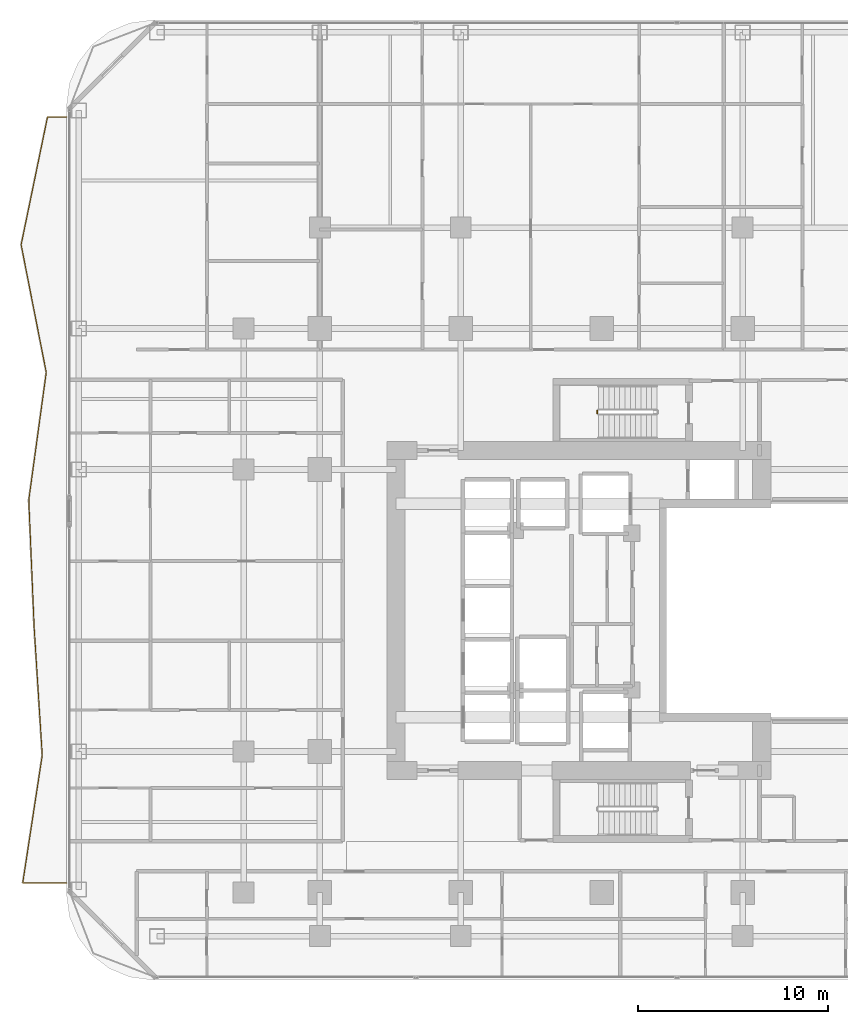
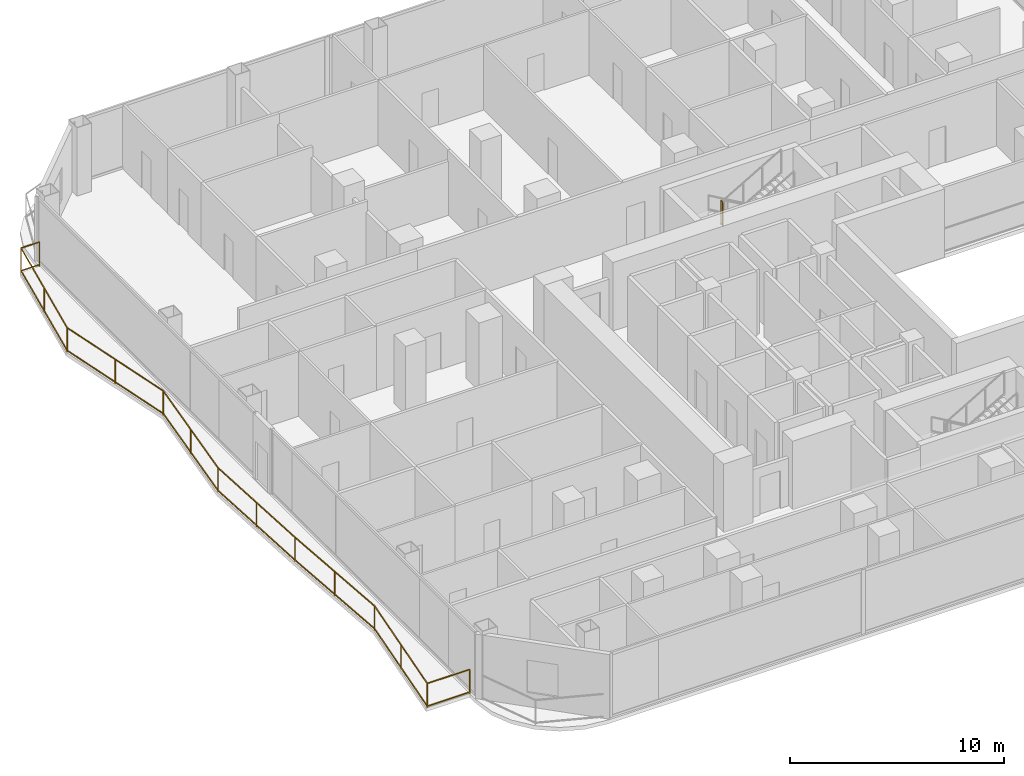
# One storey, part 26 of 28: 2 railings.
"""IFC4 building model written with IfcOpenShell, lengths in metres."""

from ifc_helpers import new_model, si_unit, direction, frame, origin, origin_2d, place, context, subcontext, project, spatial, rectangle, extrude, material, type_object, element, save


model = new_model("IFC4")

# Units and contexts
model_context = context("Model", 3, precision=1e-05, world=origin(), true_north=direction((0.0, 1.0)))
body_context = subcontext(model_context, "Body", "Model", "MODEL_VIEW")
ifc_project = project(units=[si_unit("LENGTHUNIT", "METRE"), si_unit("AREAUNIT", "SQUARE_METRE"), si_unit("VOLUMEUNIT", "CUBIC_METRE"), si_unit("PLANEANGLEUNIT", "RADIAN"), si_unit("MASSUNIT", "GRAM", prefix="KILO")], contexts=[model_context])

# Site, building, storey
site_placement = place(None, origin())
site = spatial("IfcSite", under=ifc_project, at=site_placement, CompositionType="ELEMENT")
building_placement = place(site_placement, origin())
building = spatial("IfcBuilding", under=site, at=building_placement, Name="Khorvyn Point Tower", CompositionType="ELEMENT")
storey_placement = place(building_placement, frame((0.0, 0.0, 100.800048828125)))
storey = spatial("IfcBuildingStorey", under=building, at=storey_placement, Name="L25", CompositionType="ELEMENT", Elevation=100.800048828125)

# Railings
ifc_material_1 = material(Name="Anodised aluminium 6063-T6 and laminated safety glass", Category="aluminium")
railing_type_1 = type_object("IfcRailingType", Name="Laminated Glass and Aluminium Balcony Guardrail 1400", PredefinedType="BALUSTRADE", material=ifc_material_1)
railing_1_placement = place(storey_placement, frame((-28.10009765625, 25.89990234375, 0.0)))
element("IfcRailing", 1, at=railing_1_placement, inside=storey, type_object=railing_type_1, Name="L25 West Balcony Guardrail", PredefinedType="BALUSTRADE", context=body_context, shape_type="SweptSolid", body=[
    extrude(rectangle(XDim=0.048095703125, YDim=0.048095703125, at=origin_2d()), frame((0.0, 0.0, 1.3759765625), z_axis=(-1.0, 0.0, 0.0), x_axis=(0.0, -1.0, 0.0)), (0.0, 0.0, 1.0), 0.9951171875),
    extrude(rectangle(XDim=0.048095703125, YDim=0.048095703125, at=origin_2d()), frame((0.0, 0.0, 0.080078125), z_axis=(-1.0, 0.0, 0.0), x_axis=(0.0, -1.0, 0.0)), (0.0, 0.0, 1.0), 0.9951171875),
    extrude(rectangle(XDim=0.048095703125, YDim=0.048095703125, at=origin_2d()), frame((-0.9951171875, 0.0, 1.3759765625), z_axis=(-0.20233655163, -0.979316046981, 0.0), x_axis=(0.979316046981, -0.20233655163, 0.0)), (0.0, 0.0, 1.0), 6.841552734375),
    extrude(rectangle(XDim=0.048095703125, YDim=0.048095703125, at=origin_2d()), frame((-0.9951171875, 0.0, 0.080078125), z_axis=(-0.20233655163, -0.979316046981, 0.0), x_axis=(0.979316046981, -0.20233655163, 0.0)), (0.0, 0.0, 1.0), 6.841552734375),
    extrude(rectangle(XDim=0.048095703125, YDim=0.048095703125, at=origin_2d()), frame((-2.37939453125, -6.699951171875, 1.3759765625), z_axis=(0.193241355357, -0.981151251632, 0.0), x_axis=(0.981151251632, 0.193241355357, 0.0)), (0.0, 0.0, 1.0), 6.82861328125),
    extrude(rectangle(XDim=0.048095703125, YDim=0.048095703125, at=origin_2d()), frame((-2.37939453125, -6.699951171875, 0.080078125), z_axis=(0.193241355357, -0.981151251632, 0.0), x_axis=(0.981151251632, 0.193241355357, 0.0)), (0.0, 0.0, 1.0), 6.82861328125),
    extrude(rectangle(XDim=0.048095703125, YDim=0.048095703125, at=origin_2d()), frame((-1.059814453125, -13.39990234375, 1.3759765625), z_axis=(-0.135778529509, -0.990739214387, 0.0), x_axis=(0.990739214387, -0.135778529509, 0.0)), (0.0, 0.0, 1.0), 6.7626953125),
    extrude(rectangle(XDim=0.048095703125, YDim=0.048095703125, at=origin_2d()), frame((-1.059814453125, -13.39990234375, 0.080078125), z_axis=(-0.135778529509, -0.990739214387, 0.0), x_axis=(0.990739214387, -0.135778529509, 0.0)), (0.0, 0.0, 1.0), 6.7626953125),
    extrude(rectangle(XDim=0.048095703125, YDim=0.048095703125, at=origin_2d()), frame((-1.97802734375, -20.099853515625, 1.3759765625), z_axis=(0.042159036431, -0.999110912585, 0.0), x_axis=(0.999110912585, 0.042159036431, 0.0)), (0.0, 0.0, 1.0), 6.705810546875),
    extrude(rectangle(XDim=0.048095703125, YDim=0.048095703125, at=origin_2d()), frame((-1.97802734375, -20.099853515625, 0.080078125), z_axis=(0.042159036431, -0.999110912585, 0.0), x_axis=(0.999110912585, 0.042159036431, 0.0)), (0.0, 0.0, 1.0), 6.705810546875),
    extrude(rectangle(XDim=0.048095703125, YDim=0.048095703125, at=origin_2d()), frame((-1.6953125, -26.7998046875, 1.3759765625), z_axis=(0.063274788245, -0.997996142865, 0.0), x_axis=(0.997996142865, 0.063274788245, 0.0)), (0.0, 0.0, 1.0), 6.713623046875),
    extrude(rectangle(XDim=0.048095703125, YDim=0.048095703125, at=origin_2d()), frame((-1.6953125, -26.7998046875, 0.080078125), z_axis=(0.063274788245, -0.997996142865, 0.0), x_axis=(0.997996142865, 0.063274788245, 0.0)), (0.0, 0.0, 1.0), 6.713623046875),
    extrude(rectangle(XDim=0.048095703125, YDim=0.048095703125, at=origin_2d()), frame((-1.2705078125, -33.5, 1.3759765625), z_axis=(-0.151071842168, -0.988522786032, 0.0), x_axis=(0.988522786032, -0.151071842168, 0.0)), (0.0, 0.0, 1.0), 6.77783203125),
    extrude(rectangle(XDim=0.048095703125, YDim=0.048095703125, at=origin_2d()), frame((-1.2705078125, -33.5, 0.080078125), z_axis=(-0.151071842168, -0.988522786032, 0.0), x_axis=(0.988522786032, -0.151071842168, 0.0)), (0.0, 0.0, 1.0), 6.77783203125),
    extrude(rectangle(XDim=0.048095703125, YDim=0.048095703125, at=origin_2d()), frame((-2.29443359375, -40.199951171875, 1.3759765625), z_axis=(1.0, 0.0, 0.0), x_axis=(0.0, 1.0, 0.0)), (0.0, 0.0, 1.0), 2.29443359375),
    extrude(rectangle(XDim=0.048095703125, YDim=0.048095703125, at=origin_2d()), frame((-2.29443359375, -40.199951171875, 0.080078125), z_axis=(1.0, 0.0, 0.0), x_axis=(0.0, 1.0, 0.0)), (0.0, 0.0, 1.0), 2.29443359375),
    extrude(rectangle(XDim=0.0419921875, YDim=0.0419921875, at=origin_2d()), origin(), (0.0, 0.0, 1.0), 1.351806640625),
    extrude(rectangle(XDim=0.0419921875, YDim=0.0419921875, at=origin_2d()), frame((-0.9951171875, 0.0, 0.0)), (0.0, 0.0, 1.0), 1.351806640625),
    extrude(rectangle(XDim=0.0419921875, YDim=0.0419921875, at=origin_2d()), frame((-1.687255859375, -3.35009765625, 0.0)), (0.0, 0.0, 1.0), 1.351806640625),
    extrude(rectangle(XDim=0.0419921875, YDim=0.0419921875, at=origin_2d()), frame((-2.37939453125, -6.699951171875, 0.0)), (0.0, 0.0, 1.0), 1.351806640625),
    extrude(rectangle(XDim=0.0419921875, YDim=0.0419921875, at=origin_2d()), frame((-1.7197265625, -10.0498046875, 0.0)), (0.0, 0.0, 1.0), 1.351806640625),
    extrude(rectangle(XDim=0.0419921875, YDim=0.0419921875, at=origin_2d()), frame((-1.059814453125, -13.39990234375, 0.0)), (0.0, 0.0, 1.0), 1.351806640625),
    extrude(rectangle(XDim=0.0419921875, YDim=0.0419921875, at=origin_2d()), frame((-1.51904296875, -16.75, 0.0)), (0.0, 0.0, 1.0), 1.351806640625),
    extrude(rectangle(XDim=0.0419921875, YDim=0.0419921875, at=origin_2d()), frame((-1.97802734375, -20.099853515625, 0.0)), (0.0, 0.0, 1.0), 1.351806640625),
    extrude(rectangle(XDim=0.0419921875, YDim=0.0419921875, at=origin_2d()), frame((-1.836669921875, -23.44970703125, 0.0)), (0.0, 0.0, 1.0), 1.351806640625),
    extrude(rectangle(XDim=0.0419921875, YDim=0.0419921875, at=origin_2d()), frame((-1.6953125, -26.7998046875, 0.0)), (0.0, 0.0, 1.0), 1.351806640625),
    extrude(rectangle(XDim=0.0419921875, YDim=0.0419921875, at=origin_2d()), frame((-1.48291015625, -30.14990234375, 0.0)), (0.0, 0.0, 1.0), 1.351806640625),
    extrude(rectangle(XDim=0.0419921875, YDim=0.0419921875, at=origin_2d()), frame((-1.2705078125, -33.5, 0.0)), (0.0, 0.0, 1.0), 1.351806640625),
    extrude(rectangle(XDim=0.0419921875, YDim=0.0419921875, at=origin_2d()), frame((-1.782470703125, -36.85009765625, 0.0)), (0.0, 0.0, 1.0), 1.351806640625),
    extrude(rectangle(XDim=0.0419921875, YDim=0.0419921875, at=origin_2d()), frame((-2.29443359375, -40.199951171875, 0.0)), (0.0, 0.0, 1.0), 1.351806640625),
    extrude(rectangle(XDim=0.0419921875, YDim=0.0419921875, at=origin_2d()), frame((0.0, -40.199951171875, 0.0)), (0.0, 0.0, 1.0), 1.351806640625),
])
ifc_material_2 = material(Name="Stainless steel 1.4301", Category="steel")
railing_type_2 = type_object("IfcRailingType", Name="Stainless Steel 304 Stair Well Guardrail 1400", PredefinedType="GUARDRAIL", material=ifc_material_2)
railing_2_placement = place(storey_placement, frame((-0.22998046875, 10.5, 1.949951171875)))
element("IfcRailing", 2, at=railing_2_placement, inside=storey, type_object=railing_type_2, Name="L25 ST-02 stair guard 2", PredefinedType="GUARDRAIL", context=body_context, shape_type="SweptSolid", body=[
    extrude(rectangle(XDim=0.048095703125, YDim=0.048095703125, at=origin_2d()), frame((0.0, 0.0, 1.3759765625), z_axis=(0.0, -1.0, 0.0), x_axis=(1.0, 0.0, 0.0)), (0.0, 0.0, 1.0), 0.159912109375),
    extrude(rectangle(XDim=0.048095703125, YDim=0.048095703125, at=origin_2d()), frame((0.0, 0.0, 0.080078125), z_axis=(0.0, -1.0, 0.0), x_axis=(1.0, 0.0, 0.0)), (0.0, 0.0, 1.0), 0.159912109375),
    extrude(rectangle(XDim=0.0419921875, YDim=0.0419921875, at=origin_2d()), origin(), (0.0, 0.0, 1.0), 1.351806640625),
    extrude(rectangle(XDim=0.0419921875, YDim=0.0419921875, at=origin_2d()), frame((0.0, -0.159912109375, 0.0)), (0.0, 0.0, 1.0), 1.351806640625),
])

save(model, "model.ifc")
